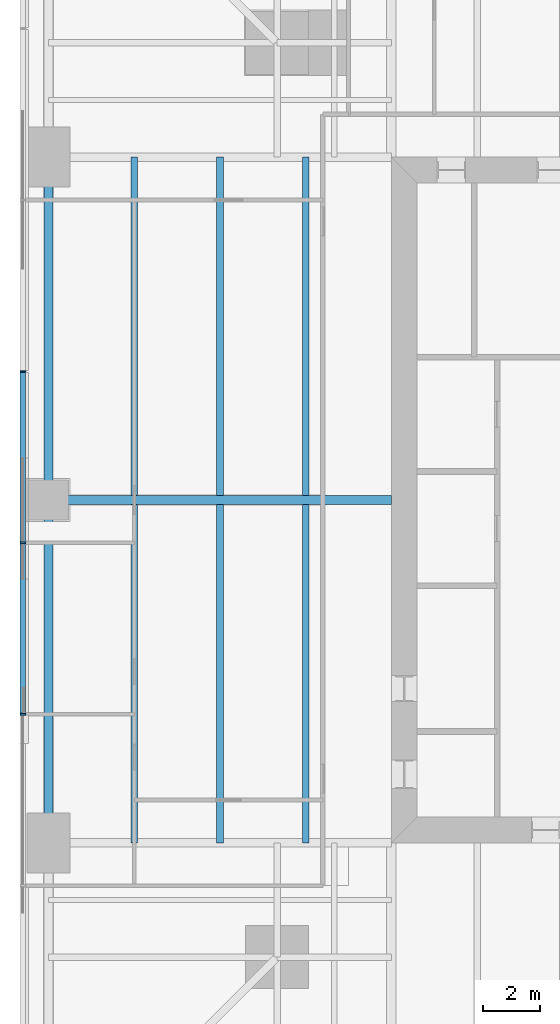
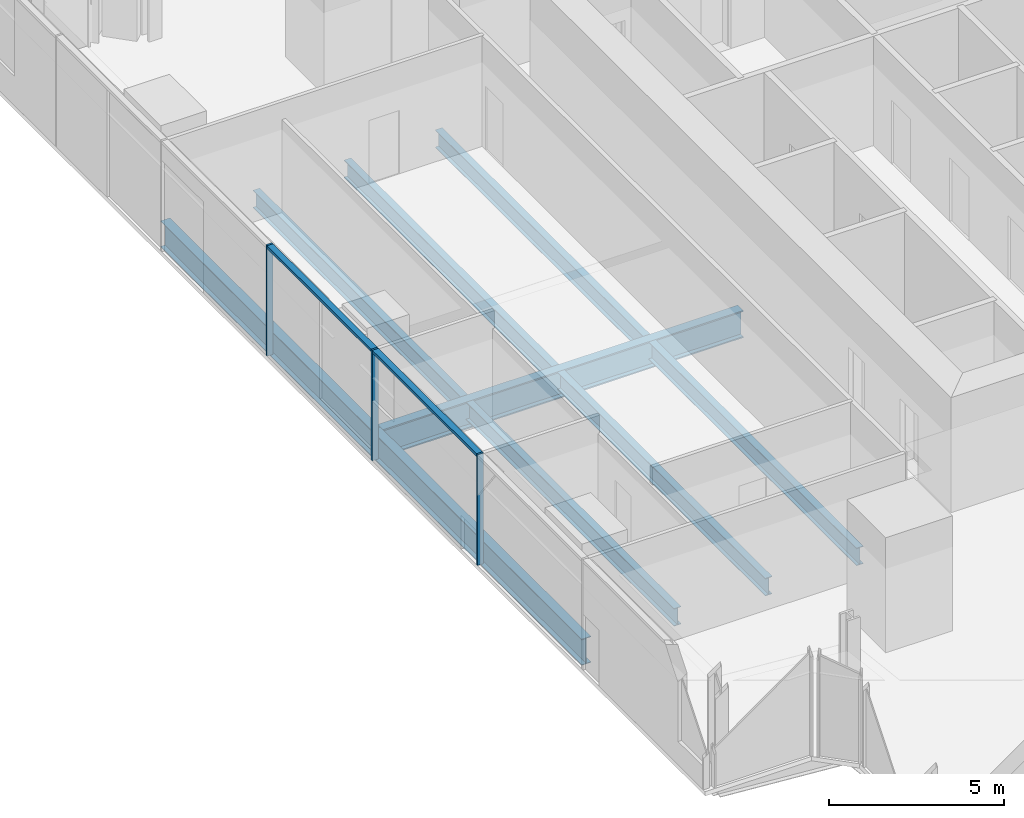
# One storey, part 4 of 14: 9 beams, 5 members, 1 element without a shape of its own.
"""IFC4 building model written with IfcOpenShell, lengths in metres."""

from ifc_helpers import new_model, si_unit, direction, frame, origin, origin_2d, place, context, subcontext, project, spatial, rectangle, i_section, extrude, material, material_profile, profile_set, type_object, element, aggregate, save


model = new_model("IFC4")

# Units and contexts
model_context = context("Model", 3, precision=1e-05, world=origin(), true_north=direction((0.0, 1.0)))
body_context = subcontext(model_context, "Body", "Model", "MODEL_VIEW")
ifc_project = project(units=[si_unit("LENGTHUNIT", "METRE"), si_unit("AREAUNIT", "SQUARE_METRE"), si_unit("VOLUMEUNIT", "CUBIC_METRE"), si_unit("PLANEANGLEUNIT", "RADIAN"), si_unit("MASSUNIT", "GRAM", prefix="KILO")], contexts=[model_context])

# Site, building, storey
site_placement = place(None, origin())
site = spatial("IfcSite", under=ifc_project, at=site_placement, CompositionType="ELEMENT")
building_placement = place(site_placement, origin())
building = spatial("IfcBuilding", under=site, at=building_placement, Name="Fenwick Lantern Interchange", CompositionType="ELEMENT")
storey_placement = place(building_placement, frame((0.0, 0.0, 118.39990234375)))
storey = spatial("IfcBuildingStorey", under=building, at=storey_placement, Name="L27", CompositionType="ELEMENT", Elevation=118.39990234375)

# Beams
ifc_material_1 = material(Name="Steel ASTM A992 Grade 50", Category="steel")
ifc_material_profile_1 = material_profile(ifc_material_1, i_section(OverallWidth=0.3046875, OverallDepth=0.911865234375, WebThickness=0.015869140625, FlangeThickness=0.02392578125, at=origin_2d()), Name="W36X150")
ifc_profile_set_1 = profile_set([ifc_material_profile_1], Name="Steel ASTM A992 Grade 50")
beam_type_1 = type_object("IfcBeamType", Name="EDGE BEAM W36X150", PredefinedType="SPANDREL", material=ifc_profile_set_1)
for number, where, z_axis, x_axis, name in (
    (1, (1.0, 37.0, -0.605712890625), (0.0, -1.0, 0.0), (1.0, 0.0, 0.0), "L27/FR/W/EB2"),
    (2, (1.0, 25.0, -0.605712890625), (0.0, -1.0, 0.0), (1.0, 0.0, 0.0), "L27/FR/W/EB3"),
):
    element("IfcBeam", number, at=place(storey_placement, frame(where, z_axis=z_axis, x_axis=x_axis)), inside=storey, type_object=beam_type_1, Name=name, PredefinedType="SPANDREL", context=body_context, shape_type="SweptSolid", body=[
        extrude(i_section(OverallWidth=0.3046875, OverallDepth=0.911865234375, WebThickness=0.015869140625, FlangeThickness=0.02392578125, at=origin_2d()), origin(), (0.0, 0.0, 1.0), 12.0),
    ])
ifc_material_profile_2 = material_profile(ifc_material_1, i_section(OverallWidth=0.22900390625, OverallDepth=0.612060546875, WebThickness=0.011962890625, FlangeThickness=0.01953125, at=origin_2d()), Name="W24X84")
ifc_profile_set_2 = profile_set([ifc_material_profile_2], Name="Steel ASTM A992 Grade 50")
beam_type_2 = type_object("IfcBeamType", Name="FLOOR BEAM W24X84", PredefinedType="BEAM", material=ifc_profile_set_2)
for number, where, z_axis, x_axis, name in (
    (3, (4.0, 37.0, -0.4560546875), (0.0, -1.0, 0.0), (1.0, 0.0, 0.0), "L27/FR/W/B01"),
    (4, (7.0, 37.0, -0.4560546875), (0.0, -1.0, 0.0), (1.0, 0.0, 0.0), "L27/FR/W/B02"),
    (5, (10.0, 37.0, -0.4560546875), (0.0, -1.0, 0.0), (1.0, 0.0, 0.0), "L27/FR/W/B03"),
    (6, (4.0, 24.844970703125, -0.4560546875), (0.0, -1.0, 0.0), (1.0, 0.0, 0.0), "L27/FR/W/B04"),
    (7, (7.0, 24.844970703125, -0.4560546875), (0.0, -1.0, 0.0), (1.0, 0.0, 0.0), "L27/FR/W/B05"),
    (8, (10.0, 24.844970703125, -0.4560546875), (0.0, -1.0, 0.0), (1.0, 0.0, 0.0), "L27/FR/W/B06"),
):
    element("IfcBeam", number, at=place(storey_placement, frame(where, z_axis=z_axis, x_axis=x_axis)), inside=storey, type_object=beam_type_2, Name=name, PredefinedType="BEAM", context=body_context, shape_type="SweptSolid", body=[
        extrude(i_section(OverallWidth=0.22900390625, OverallDepth=0.612060546875, WebThickness=0.011962890625, FlangeThickness=0.01953125, at=origin_2d()), origin(), (0.0, 0.0, 1.0), 11.844970703125),
    ])
ifc_material_profile_3 = material_profile(ifc_material_1, i_section(OverallWidth=0.309814453125, OverallDepth=0.949951171875, WebThickness=0.0244140625, FlangeThickness=0.0439453125, at=origin_2d()), Name="W36X256")
ifc_profile_set_3 = profile_set([ifc_material_profile_3], Name="Steel ASTM A992 Grade 50")
beam_type_3 = type_object("IfcBeamType", Name="MOMENT-CONNECTED GIRDER W36X256", PredefinedType="BEAM", material=ifc_profile_set_3)
beam_placement = place(storey_placement, frame((1.0, 25.0, -0.625), z_axis=(1.0, 0.0, 0.0), x_axis=(0.0, 1.0, 0.0)))
element("IfcBeam", 9, at=beam_placement, inside=storey, type_object=beam_type_3, Name="L27/FR/W/R02", PredefinedType="BEAM", context=body_context, shape_type="SweptSolid", body=[
    extrude(i_section(OverallWidth=0.309814453125, OverallDepth=0.949951171875, WebThickness=0.0244140625, FlangeThickness=0.0439453125, at=origin_2d()), origin(), (0.0, 0.0, 1.0), 12.0),
])

# Curtain wall, members
ifc_material_2 = material(Name="Aluminium curtain wall frame", Category="aluminium")
curtain_wall_type = type_object("IfcCurtainWallType", Name="OFFICE CURTAIN WALL", PredefinedType="USERDEFINED", material=ifc_material_2)
curtain_wall_placement = place(storey_placement, origin())
curtain_wall = element("IfcCurtainWall", 10, at=curtain_wall_placement, inside=storey, type_object=curtain_wall_type, Name="Office curtain wall 13", ObjectType="OFFICE CURTAIN WALL", PredefinedType="USERDEFINED")
ifc_material_3 = material(Name="Aluminium extrusion", Category="aluminium")
ifc_material_profile_4 = material_profile(ifc_material_3, rectangle(XDim=0.199951171875, YDim=0.06494140625, at=origin_2d()), Name="OFFICE CURTAIN WALL MULLION 65 X 200")
ifc_profile_set_4 = profile_set([ifc_material_profile_4], Name="Aluminium extrusion")
member_type_1 = type_object("IfcMemberType", Name="OFFICE CURTAIN WALL MULLION 65 X 200", PredefinedType="MULLION", material=ifc_profile_set_4)
member_1_placement = place(storey_placement, frame((0.10009765625, 29.5, 0.0), z_axis=(0.0, 0.0, 1.0), x_axis=(1.0, 0.0, 0.0)))
member_1 = element("IfcMember", 11, at=member_1_placement, type_object=member_type_1, Name="L27/CW/13/M03", PredefinedType="MULLION", context=body_context, shape_type="SweptSolid", body=[
    extrude(rectangle(XDim=0.199951171875, YDim=0.06494140625, at=origin_2d()), origin(), (0.0, 0.0, 1.0), 3.85009765625),
])
member_2_placement = place(storey_placement, frame((0.10009765625, 23.5, 0.0), z_axis=(0.0, 0.0, 1.0), x_axis=(1.0, 0.0, 0.0)))
member_2 = element("IfcMember", 12, at=member_2_placement, type_object=member_type_1, Name="L27/CW/13/M04", PredefinedType="MULLION", context=body_context, shape_type="SweptSolid", body=[
    extrude(rectangle(XDim=0.199951171875, YDim=0.06494140625, at=origin_2d()), origin(), (0.0, 0.0, 1.0), 3.85009765625),
])
member_3_placement = place(storey_placement, frame((0.10009765625, 17.5, 0.0), z_axis=(0.0, 0.0, 1.0), x_axis=(1.0, 0.0, 0.0)))
member_3 = element("IfcMember", 13, at=member_3_placement, type_object=member_type_1, Name="L27/CW/13/M05", PredefinedType="MULLION", context=body_context, shape_type="SweptSolid", body=[
    extrude(rectangle(XDim=0.199951171875, YDim=0.06494140625, at=origin_2d()), origin(), (0.0, 0.0, 1.0), 3.85009765625),
])
ifc_material_profile_5 = material_profile(ifc_material_3, rectangle(XDim=0.199951171875, YDim=0.10009765625, at=origin_2d()), Name="OFFICE CURTAIN WALL TRANSOM 100 X 200")
ifc_profile_set_5 = profile_set([ifc_material_profile_5], Name="Aluminium extrusion")
member_type_2 = type_object("IfcMemberType", Name="OFFICE CURTAIN WALL TRANSOM 100 X 200", PredefinedType="MULLION", material=ifc_profile_set_5)
member_4_placement = place(storey_placement, frame((0.10009765625, 29.467529296875, 3.800048828125), z_axis=(0.0, -1.0, 0.0), x_axis=(1.0, 0.0, 0.0)))
member_4 = element("IfcMember", 14, at=member_4_placement, type_object=member_type_2, Name="L27/CW/13/T03", PredefinedType="MULLION", context=body_context, shape_type="SweptSolid", body=[
    extrude(rectangle(XDim=0.199951171875, YDim=0.10009765625, at=origin_2d()), origin(), (0.0, 0.0, 1.0), 5.93505859375),
])
member_5_placement = place(storey_placement, frame((0.10009765625, 23.467529296875, 3.800048828125), z_axis=(0.0, -1.0, 0.0), x_axis=(1.0, 0.0, 0.0)))
member_5 = element("IfcMember", 15, at=member_5_placement, type_object=member_type_2, Name="L27/CW/13/T04", PredefinedType="MULLION", context=body_context, shape_type="SweptSolid", body=[
    extrude(rectangle(XDim=0.199951171875, YDim=0.10009765625, at=origin_2d()), origin(), (0.0, 0.0, 1.0), 5.93505859375),
])
aggregate(curtain_wall, [member_1, member_2, member_3, member_4, member_5])

save(model, "model.ifc")
